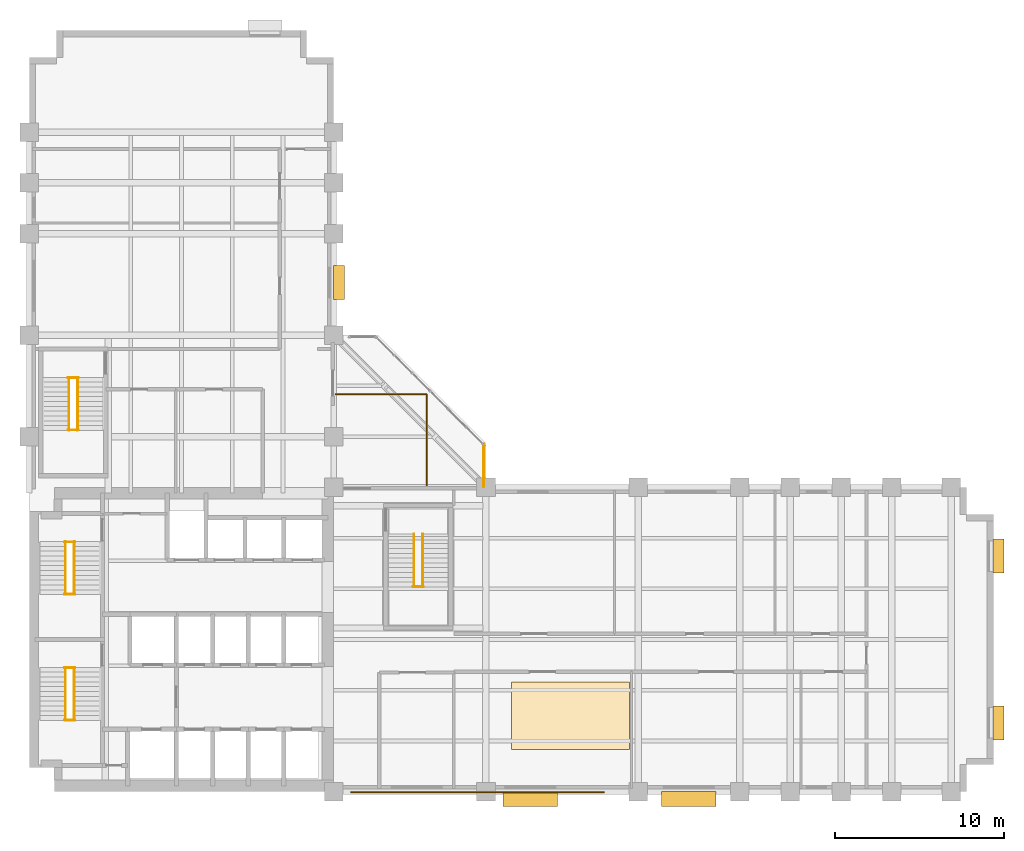
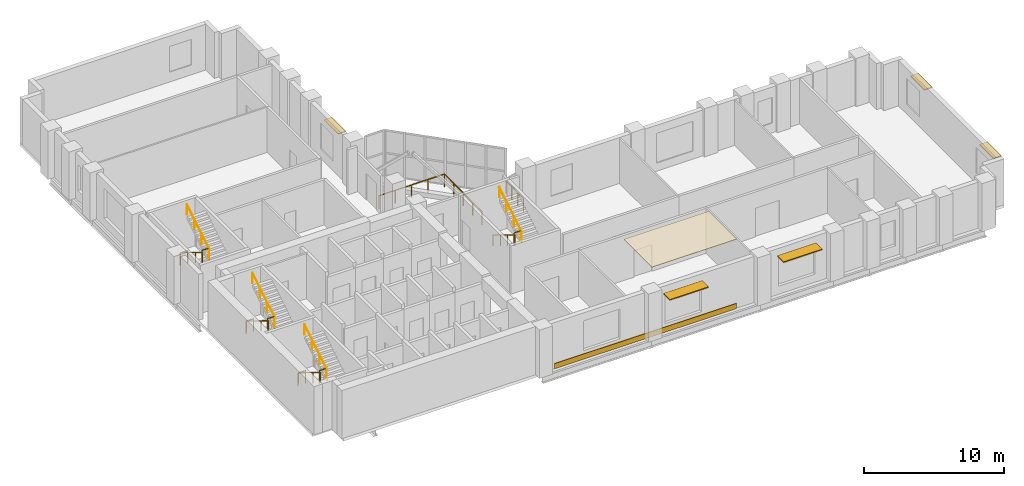
# One storey, part 9 of 10: 17 railings, 5 shading devices, 2 coverings.
"""IFC4 building model written with IfcOpenShell, lengths in metres."""

from ifc_helpers import new_model, si_unit, direction, frame, origin, origin_2d, place, context, subcontext, project, spatial, polyline, rectangle, circle, outline, extrude, material, layer, layer_set, type_object, element, save


model = new_model("IFC4")

# Units and contexts
model_context = context("Model", 3, precision=1e-05, world=origin(), true_north=direction((0.0, 1.0)))
body_context = subcontext(model_context, "Body", "Model", "MODEL_VIEW")
ifc_project = project(units=[si_unit("LENGTHUNIT", "METRE"), si_unit("AREAUNIT", "SQUARE_METRE"), si_unit("VOLUMEUNIT", "CUBIC_METRE"), si_unit("PLANEANGLEUNIT", "RADIAN"), si_unit("MASSUNIT", "GRAM", prefix="KILO")], contexts=[model_context])

# Site, building, storey
site_placement = place(None, origin())
site = spatial("IfcSite", under=ifc_project, at=site_placement, CompositionType="ELEMENT")
building_placement = place(site_placement, origin())
building = spatial("IfcBuilding", under=site, at=building_placement, Name="Mawjdan Bourse Tower", CompositionType="ELEMENT")
storey_placement = place(building_placement, frame((0.0, 0.0, 89.10009765625)))
storey = spatial("IfcBuildingStorey", under=building, at=storey_placement, Name="L20", CompositionType="ELEMENT", Elevation=89.10009765625)

# Coverings
ifc_material_1 = material(Name="Honed Qatari Limestone Coping", Category="masonry")
ifc_layer_1 = layer(ifc_material_1, 0.054931640625)
ifc_layer_set_1 = layer_set([ifc_layer_1], Name="Honed Qatari Limestone Coping")
covering_type_1 = type_object("IfcCoveringType", Name="COV-CLD-SPN", PredefinedType="CLADDING", material=ifc_layer_set_1)
covering_1_placement = place(storey_placement, origin())
element("IfcCovering", 1, at=covering_1_placement, inside=storey, type_object=covering_type_1, Name="L20 Limestone Spandrel Coping Trim", PredefinedType="CLADDING", context=body_context, shape_type="SweptSolid", body=[
    extrude(outline(polyline([(25.0, 2.949951171875), (40.0, 2.949951171875), (40.0, 3.010009765625), (25.0, 3.010009765625), (25.0, 2.949951171875)])), origin(), (0.0, 0.0, 1.0), 0.449951171875),
])
ifc_material_2 = material(Name="Perforated Mineral-Fibre Acoustic Ceiling")
ifc_layer_2 = layer(ifc_material_2, 0.044921875)
ifc_layer_set_2 = layer_set([ifc_layer_2], Name="Perforated Mineral-Fibre Acoustic Ceiling")
covering_type_2 = type_object("IfcCoveringType", Name="COV-CLG-AC", PredefinedType="CEILING", material=ifc_layer_set_2)
covering_2_placement = place(storey_placement, frame((0.0, 0.0, 3.954833984375)))
element("IfcCovering", 2, at=covering_2_placement, inside=storey, type_object=covering_type_2, Name="L20 Suspended Acoustic Ceiling", PredefinedType="CEILING", context=body_context, shape_type="SweptSolid", body=[
    extrude(outline(polyline([(34.5, 5.5), (41.5, 5.5), (41.5, 9.5), (34.5, 9.5), (34.5, 5.5)])), origin(), (0.0, 0.0, 1.0), 0.045166015625),
])

# Railings
ifc_material_3 = material(Name="Stainless Steel and Laminated Glass", Category="steel")
railing_type_1 = type_object("IfcRailingType", Name="RLG-BAL-1150", PredefinedType="BALUSTRADE", material=ifc_material_3)
railing_1_placement = place(storey_placement, frame((24.10009765625, 26.5, 0.0)))
element("IfcRailing", 3, at=railing_1_placement, inside=storey, type_object=railing_type_1, Name="L20 Atrium Sky Bridge Inner Balustrade", PredefinedType="BALUSTRADE", context=body_context, shape_type="SweptSolid", body=[
    extrude(circle(Radius=0.02685546875, at=origin_2d()), frame((0.0, 0.0, 1.123046875), z_axis=(1.0, 0.0, 0.0), x_axis=(0.0, 1.0, 0.0)), (0.0, 0.0, 1.0), 5.39990234375),
    extrude(circle(Radius=0.02685546875, at=origin_2d()), frame((5.39990234375, 0.0, 1.123046875), z_axis=(0.0, -1.0, 0.0), x_axis=(1.0, 0.0, 0.0)), (0.0, 0.0, 1.0), 5.39990234375),
    extrude(circle(Radius=0.02294921875, at=origin_2d()), origin(), (0.0, 0.0, 1.0), 1.095947265625),
    extrude(circle(Radius=0.02294921875, at=origin_2d()), frame((1.35009765625, 0.0, 0.0)), (0.0, 0.0, 1.0), 1.095947265625),
    extrude(circle(Radius=0.02294921875, at=origin_2d()), frame((2.699951171875, 0.0, 0.0)), (0.0, 0.0, 1.0), 1.095947265625),
    extrude(circle(Radius=0.02294921875, at=origin_2d()), frame((4.0498046875, 0.0, 0.0)), (0.0, 0.0, 1.0), 1.095947265625),
    extrude(circle(Radius=0.02294921875, at=origin_2d()), frame((5.39990234375, 0.0, 0.0)), (0.0, 0.0, 1.0), 1.095947265625),
    extrude(circle(Radius=0.02294921875, at=origin_2d()), frame((5.39990234375, -1.35009765625, 0.0)), (0.0, 0.0, 1.0), 1.095947265625),
    extrude(circle(Radius=0.02294921875, at=origin_2d()), frame((5.39990234375, -2.699951171875, 0.0)), (0.0, 0.0, 1.0), 1.095947265625),
    extrude(circle(Radius=0.02294921875, at=origin_2d()), frame((5.39990234375, -4.0498046875, 0.0)), (0.0, 0.0, 1.0), 1.095947265625),
    extrude(circle(Radius=0.02294921875, at=origin_2d()), frame((5.39990234375, -5.39990234375, 0.0)), (0.0, 0.0, 1.0), 1.095947265625),
])
railing_2_placement = place(storey_placement, frame((32.8798828125, 21.0400390625, 0.0)))
element("IfcRailing", 4, at=railing_2_placement, inside=storey, type_object=railing_type_1, Name="L20 Atrium Sky Bridge East Return Balustrade", PredefinedType="BALUSTRADE", context=body_context, shape_type="SweptSolid", body=[
    extrude(circle(Radius=0.02685546875, at=origin_2d()), frame((0.0, 0.0, 1.123046875), z_axis=(0.0, 1.0, 0.0), x_axis=(-1.0, 0.0, 0.0)), (0.0, 0.0, 1.0), 2.52001953125),
    extrude(circle(Radius=0.02294921875, at=origin_2d()), origin(), (0.0, 0.0, 1.0), 1.095947265625),
    extrude(circle(Radius=0.02294921875, at=origin_2d()), frame((0.0, 0.840087890625, 0.0)), (0.0, 0.0, 1.0), 1.095947265625),
    extrude(circle(Radius=0.02294921875, at=origin_2d()), frame((0.0, 1.679931640625, 0.0)), (0.0, 0.0, 1.0), 1.095947265625),
    extrude(circle(Radius=0.02294921875, at=origin_2d()), frame((0.0, 2.52001953125, 0.0)), (0.0, 0.0, 1.0), 1.095947265625),
])
ifc_material_4 = material(Name="Structural Steel S355", Category="steel")
railing_type_2 = type_object("IfcRailingType", Name="RLG-GRD-1100", PredefinedType="GUARDRAIL", material=ifc_material_4)
for number, where, name in (
    (5, (8.090087890625, 7.235107421875, 2.099853515625), "L20 ST1 Landing Guardrail GL-MID"),
    (6, (8.090087890625, 10.330078125, 0.0), "L20 ST1 Landing Guardrail GL-BOT"),
    (7, (8.090087890625, 14.675048828125, 2.099853515625), "L20 ST2 Landing Guardrail GL-MID"),
    (8, (8.090087890625, 17.77001953125, 0.0), "L20 ST2 Landing Guardrail GL-BOT"),
    (9, (8.2900390625, 24.385009765625, 2.099853515625), "L20 ST3 Landing Guardrail GL-MID"),
    (10, (8.2900390625, 27.47998046875, 0.0), "L20 ST3 Landing Guardrail GL-BOT"),
):
    element("IfcRailing", number, at=place(storey_placement, frame(where)), inside=storey, type_object=railing_type_2, Name=name, PredefinedType="GUARDRAIL", context=body_context, shape_type="SweptSolid", body=[
        extrude(circle(Radius=0.02490234375, at=origin_2d()), frame((0.0, 0.0, 1.0751953125), z_axis=(1.0, 0.0, 0.0), x_axis=(0.0, 1.0, 0.0)), (0.0, 0.0, 1.0), 0.619873046875),
        extrude(circle(Radius=0.02099609375, at=origin_2d()), origin(), (0.0, 0.0, 1.0), 1.050048828125),
        extrude(circle(Radius=0.02099609375, at=origin_2d()), frame((0.619873046875, 0.0, 0.0)), (0.0, 0.0, 1.0), 1.050048828125),
    ])
railing_3_placement = place(storey_placement, frame((28.68994140625, 15.125, 2.099853515625)))
element("IfcRailing", 11, at=railing_3_placement, inside=storey, type_object=railing_type_2, Name="L20 ST5A Landing Guardrail GL-MID", PredefinedType="GUARDRAIL", context=body_context, shape_type="SweptSolid", body=[
    extrude(circle(Radius=0.02490234375, at=origin_2d()), frame((0.0, 0.0, 1.0751953125), z_axis=(1.0, 0.0, 0.0), x_axis=(0.0, 1.0, 0.0)), (0.0, 0.0, 1.0), 0.6201171875),
    extrude(circle(Radius=0.02099609375, at=origin_2d()), origin(), (0.0, 0.0, 1.0), 1.050048828125),
    extrude(circle(Radius=0.02099609375, at=origin_2d()), frame((0.6201171875, 0.0, 0.0)), (0.0, 0.0, 1.0), 1.050048828125),
])
ifc_material_5 = material(Name="Brushed Stainless Steel", Category="steel")
railing_type_3 = type_object("IfcRailingType", Name="RLG-HND-920", PredefinedType="HANDRAIL", material=ifc_material_5)
railing_4_placement = place(storey_placement, frame((8.139892578125, 10.35009765625, 0.1748046875)))
element("IfcRailing", 12, at=railing_4_placement, inside=storey, type_object=railing_type_3, Name="L20 ST1 Flight Handrail HR1", PredefinedType="HANDRAIL", context=body_context, shape_type="SweptSolid", body=[
    extrude(circle(Radius=0.0224609375, at=origin_2d()), frame((0.0, 0.0, 0.8974609375), z_axis=(0.0, -0.852166034122, 0.523271488128), x_axis=(1.0, 0.0, 0.0)), (0.0, 0.0, 1.0), 3.678955078125),
    extrude(circle(Radius=0.01904296875, at=origin_2d()), origin(), (0.0, 0.0, 1.0), 0.875),
    extrude(circle(Radius=0.01904296875, at=origin_2d()), frame((0.0, -1.044921875, 0.6416015625)), (0.0, 0.0, 1.0), 0.875),
    extrude(circle(Radius=0.01904296875, at=origin_2d()), frame((0.0, -2.090087890625, 1.283447265625)), (0.0, 0.0, 1.0), 0.875),
    extrude(circle(Radius=0.01904296875, at=origin_2d()), frame((0.0, -3.135009765625, 1.925048828125)), (0.0, 0.0, 1.0), 0.875),
])
railing_5_placement = place(storey_placement, frame((8.659912109375, 7.215087890625, 2.27490234375)))
element("IfcRailing", 13, at=railing_5_placement, inside=storey, type_object=railing_type_3, Name="L20 ST1 Flight Handrail HR2", PredefinedType="HANDRAIL", context=body_context, shape_type="SweptSolid", body=[
    extrude(circle(Radius=0.0224609375, at=origin_2d()), frame((0.0, 0.0, 0.8974609375), z_axis=(0.0, 0.852166034122, 0.523271488128), x_axis=(-1.0, 0.0, 0.0)), (0.0, 0.0, 1.0), 3.678955078125),
    extrude(circle(Radius=0.01904296875, at=origin_2d()), origin(), (0.0, 0.0, 1.0), 0.875),
    extrude(circle(Radius=0.01904296875, at=origin_2d()), frame((0.0, 1.044921875, 0.6416015625)), (0.0, 0.0, 1.0), 0.875),
    extrude(circle(Radius=0.01904296875, at=origin_2d()), frame((0.0, 2.090087890625, 1.283447265625)), (0.0, 0.0, 1.0), 0.875),
    extrude(circle(Radius=0.01904296875, at=origin_2d()), frame((0.0, 3.135009765625, 1.925048828125)), (0.0, 0.0, 1.0), 0.875),
])
railing_6_placement = place(storey_placement, frame((8.139892578125, 17.7900390625, 0.1748046875)))
element("IfcRailing", 14, at=railing_6_placement, inside=storey, type_object=railing_type_3, Name="L20 ST2 Flight Handrail HR1", PredefinedType="HANDRAIL", context=body_context, shape_type="SweptSolid", body=[
    extrude(circle(Radius=0.0224609375, at=origin_2d()), frame((0.0, 0.0, 0.8974609375), z_axis=(0.0, -0.852166034122, 0.523271488128), x_axis=(1.0, 0.0, 0.0)), (0.0, 0.0, 1.0), 3.678955078125),
    extrude(circle(Radius=0.01904296875, at=origin_2d()), origin(), (0.0, 0.0, 1.0), 0.875),
    extrude(circle(Radius=0.01904296875, at=origin_2d()), frame((0.0, -1.044921875, 0.6416015625)), (0.0, 0.0, 1.0), 0.875),
    extrude(circle(Radius=0.01904296875, at=origin_2d()), frame((0.0, -2.090087890625, 1.283447265625)), (0.0, 0.0, 1.0), 0.875),
    extrude(circle(Radius=0.01904296875, at=origin_2d()), frame((0.0, -3.135009765625, 1.925048828125)), (0.0, 0.0, 1.0), 0.875),
])
railing_7_placement = place(storey_placement, frame((8.659912109375, 14.655029296875, 2.27490234375)))
element("IfcRailing", 15, at=railing_7_placement, inside=storey, type_object=railing_type_3, Name="L20 ST2 Flight Handrail HR2", PredefinedType="HANDRAIL", context=body_context, shape_type="SweptSolid", body=[
    extrude(circle(Radius=0.0224609375, at=origin_2d()), frame((0.0, 0.0, 0.8974609375), z_axis=(0.0, 0.852166034122, 0.523271488128), x_axis=(-1.0, 0.0, 0.0)), (0.0, 0.0, 1.0), 3.678955078125),
    extrude(circle(Radius=0.01904296875, at=origin_2d()), origin(), (0.0, 0.0, 1.0), 0.875),
    extrude(circle(Radius=0.01904296875, at=origin_2d()), frame((0.0, 1.044921875, 0.6416015625)), (0.0, 0.0, 1.0), 0.875),
    extrude(circle(Radius=0.01904296875, at=origin_2d()), frame((0.0, 2.090087890625, 1.283447265625)), (0.0, 0.0, 1.0), 0.875),
    extrude(circle(Radius=0.01904296875, at=origin_2d()), frame((0.0, 3.135009765625, 1.925048828125)), (0.0, 0.0, 1.0), 0.875),
])
railing_8_placement = place(storey_placement, frame((8.340087890625, 27.5, 0.1748046875)))
element("IfcRailing", 16, at=railing_8_placement, inside=storey, type_object=railing_type_3, Name="L20 ST3 Flight Handrail HR1", PredefinedType="HANDRAIL", context=body_context, shape_type="SweptSolid", body=[
    extrude(circle(Radius=0.0224609375, at=origin_2d()), frame((0.0, 0.0, 0.8974609375), z_axis=(0.0, -0.852166034122, 0.523271488128), x_axis=(1.0, 0.0, 0.0)), (0.0, 0.0, 1.0), 3.678955078125),
    extrude(circle(Radius=0.01904296875, at=origin_2d()), origin(), (0.0, 0.0, 1.0), 0.875),
    extrude(circle(Radius=0.01904296875, at=origin_2d()), frame((0.0, -1.044921875, 0.6416015625)), (0.0, 0.0, 1.0), 0.875),
    extrude(circle(Radius=0.01904296875, at=origin_2d()), frame((0.0, -2.090087890625, 1.283447265625)), (0.0, 0.0, 1.0), 0.875),
    extrude(circle(Radius=0.01904296875, at=origin_2d()), frame((0.0, -3.135009765625, 1.925048828125)), (0.0, 0.0, 1.0), 0.875),
])
railing_9_placement = place(storey_placement, frame((8.860107421875, 24.364990234375, 2.27490234375)))
element("IfcRailing", 17, at=railing_9_placement, inside=storey, type_object=railing_type_3, Name="L20 ST3 Flight Handrail HR2", PredefinedType="HANDRAIL", context=body_context, shape_type="SweptSolid", body=[
    extrude(circle(Radius=0.0224609375, at=origin_2d()), frame((0.0, 0.0, 0.8974609375), z_axis=(0.0, 0.852166034122, 0.523271488128), x_axis=(-1.0, 0.0, 0.0)), (0.0, 0.0, 1.0), 3.678955078125),
    extrude(circle(Radius=0.01904296875, at=origin_2d()), origin(), (0.0, 0.0, 1.0), 0.875),
    extrude(circle(Radius=0.01904296875, at=origin_2d()), frame((0.0, 1.044921875, 0.6416015625)), (0.0, 0.0, 1.0), 0.875),
    extrude(circle(Radius=0.01904296875, at=origin_2d()), frame((0.0, 2.090087890625, 1.283447265625)), (0.0, 0.0, 1.0), 0.875),
    extrude(circle(Radius=0.01904296875, at=origin_2d()), frame((0.0, 3.135009765625, 1.925048828125)), (0.0, 0.0, 1.0), 0.875),
])
railing_10_placement = place(storey_placement, frame((28.739990234375, 18.239990234375, 0.1748046875)))
element("IfcRailing", 18, at=railing_10_placement, inside=storey, type_object=railing_type_3, Name="L20 ST5A Flight Handrail HR1", PredefinedType="HANDRAIL", context=body_context, shape_type="SweptSolid", body=[
    extrude(circle(Radius=0.0224609375, at=origin_2d()), frame((0.0, 0.0, 0.8974609375), z_axis=(0.0, -0.852166034122, 0.523271488128), x_axis=(1.0, 0.0, 0.0)), (0.0, 0.0, 1.0), 3.678955078125),
    extrude(circle(Radius=0.01904296875, at=origin_2d()), origin(), (0.0, 0.0, 1.0), 0.875),
    extrude(circle(Radius=0.01904296875, at=origin_2d()), frame((0.0, -1.044921875, 0.6416015625)), (0.0, 0.0, 1.0), 0.875),
    extrude(circle(Radius=0.01904296875, at=origin_2d()), frame((0.0, -2.090087890625, 1.283447265625)), (0.0, 0.0, 1.0), 0.875),
    extrude(circle(Radius=0.01904296875, at=origin_2d()), frame((0.0, -3.135009765625, 1.925048828125)), (0.0, 0.0, 1.0), 0.875),
])
railing_11_placement = place(storey_placement, frame((29.260009765625, 15.10498046875, 2.27490234375)))
element("IfcRailing", 19, at=railing_11_placement, inside=storey, type_object=railing_type_3, Name="L20 ST5A Flight Handrail HR2", PredefinedType="HANDRAIL", context=body_context, shape_type="SweptSolid", body=[
    extrude(circle(Radius=0.0224609375, at=origin_2d()), frame((0.0, 0.0, 0.8974609375), z_axis=(0.0, 0.852166034122, 0.523271488128), x_axis=(-1.0, 0.0, 0.0)), (0.0, 0.0, 1.0), 3.678955078125),
    extrude(circle(Radius=0.01904296875, at=origin_2d()), origin(), (0.0, 0.0, 1.0), 0.875),
    extrude(circle(Radius=0.01904296875, at=origin_2d()), frame((0.0, 1.044921875, 0.6416015625)), (0.0, 0.0, 1.0), 0.875),
    extrude(circle(Radius=0.01904296875, at=origin_2d()), frame((0.0, 2.090087890625, 1.283447265625)), (0.0, 0.0, 1.0), 0.875),
    extrude(circle(Radius=0.01904296875, at=origin_2d()), frame((0.0, 3.135009765625, 1.925048828125)), (0.0, 0.0, 1.0), 0.875),
])

# Shading devices
ifc_material_6 = material(Name="Bronze Anodised Aluminium", Category="aluminium")
ifc_layer_3 = layer(ifc_material_6, 0.074951171875)
ifc_layer_set_3 = layer_set([ifc_layer_3], Name="Bronze Anodised Aluminium")
shading_device_type_1 = type_object("IfcShadingDeviceType", Name="SHD-SUN-650", PredefinedType="USERDEFINED", material=ifc_layer_set_3)
for number, where, z_axis, x_axis, name in (
    (20, (63.304931640625, 7.066650390625, 3.10009765625), (0.0, 0.0, 1.0), (0.0, 1.0, 0.0), "L20 Solar Window Hood 03"),
    (21, (63.304931640625, 16.933349609375, 3.10009765625), (0.0, 0.0, 1.0), (0.0, 1.0, 0.0), "L20 Solar Window Hood 04"),
    (22, (24.304931640625, 33.1083984375, 3.10009765625), (0.0, 0.0, 1.0), (0.0, 1.0, 0.0), "L20 Solar Window Hood 07"),
):
    element("IfcShadingDevice", number, at=place(storey_placement, frame(where, z_axis=z_axis, x_axis=x_axis)), inside=storey, type_object=shading_device_type_1, Name=name, ObjectType="SUNSHADE", PredefinedType="USERDEFINED", context=body_context, shape_type="SweptSolid", body=[
        extrude(rectangle(XDim=2.0, YDim=0.64990234375, at=origin_2d()), origin(), (0.0, 0.0, 1.0), 0.074951171875),
    ])
ifc_layer_4 = layer(ifc_material_6, 0.0849609375)
ifc_layer_set_4 = layer_set([ifc_layer_4], Name="Bronze Anodised Aluminium")
shading_device_type_2 = type_object("IfcShadingDeviceType", Name="SHD-SUN-900", PredefinedType="USERDEFINED", material=ifc_layer_set_4)
for number, where, z_axis, x_axis, name in (
    (23, (35.61865234375, 2.570068359375, 3.2998046875), (0.0, 0.0, 1.0), (1.0, 0.0, 0.0), "L20 Solar Window Hood 01"),
    (24, (44.99365234375, 2.570068359375, 3.2998046875), (0.0, 0.0, 1.0), (1.0, 0.0, 0.0), "L20 Solar Window Hood 02"),
):
    element("IfcShadingDevice", number, at=place(storey_placement, frame(where, z_axis=z_axis, x_axis=x_axis)), inside=storey, type_object=shading_device_type_2, Name=name, ObjectType="SUNSHADE", PredefinedType="USERDEFINED", context=body_context, shape_type="SweptSolid", body=[
        extrude(rectangle(XDim=3.199951171875, YDim=0.89990234375, at=origin_2d()), origin(), (0.0, 0.0, 1.0), 0.0849609375),
    ])

save(model, "model.ifc")
